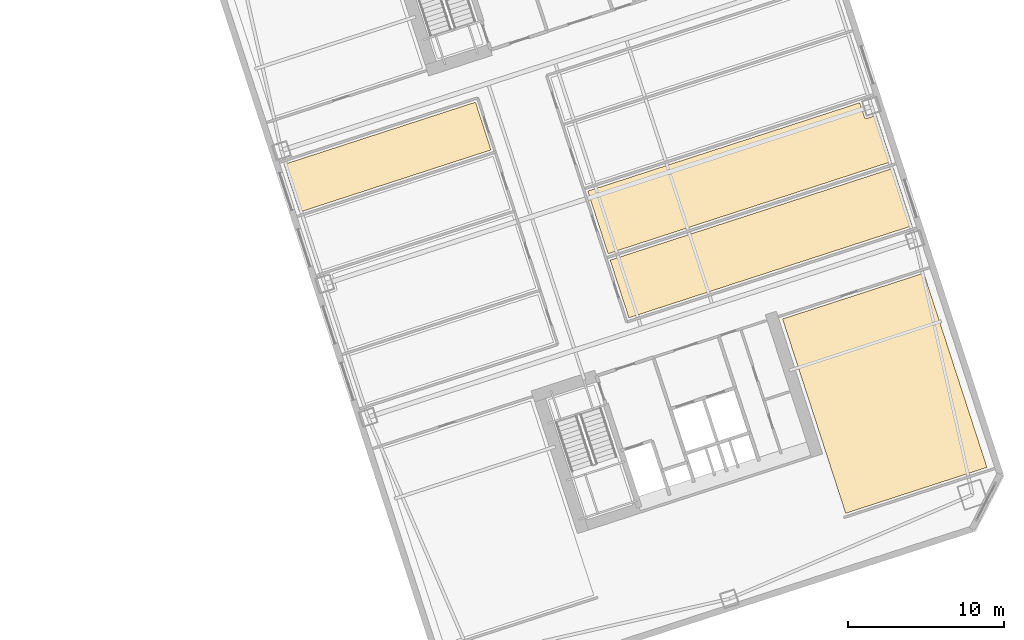
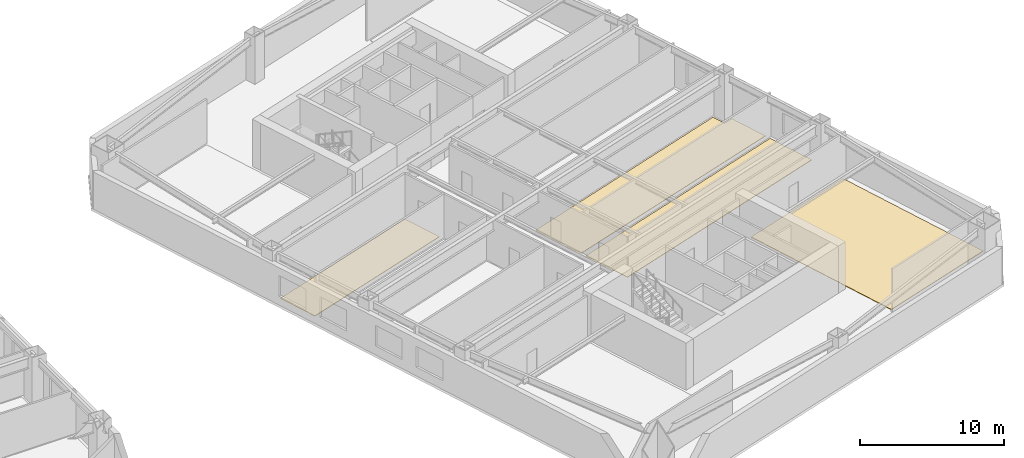
# One storey, part 22 of 24: 4 coverings.
"""IFC4 building model written with IfcOpenShell, lengths in metres."""

from ifc_helpers import new_model, si_unit, direction, frame, origin, place, context, subcontext, project, spatial, polyline, outline, extrude, material, layer, layer_set, type_object, element, save


model = new_model("IFC4")

# Units and contexts
model_context = context("Model", 3, precision=1e-05, world=origin(), true_north=direction((0.0, 1.0)))
body_context = subcontext(model_context, "Body", "Model", "MODEL_VIEW")
ifc_project = project(units=[si_unit("LENGTHUNIT", "METRE"), si_unit("AREAUNIT", "SQUARE_METRE"), si_unit("VOLUMEUNIT", "CUBIC_METRE"), si_unit("PLANEANGLEUNIT", "RADIAN"), si_unit("MASSUNIT", "GRAM", prefix="KILO")], contexts=[model_context])

# Site, building, storey
site_placement = place(None, origin())
site = spatial("IfcSite", under=ifc_project, at=site_placement, CompositionType="ELEMENT")
building_placement = place(site_placement, origin())
building = spatial("IfcBuilding", under=site, at=building_placement, Name="Qiaolan Cultural Towers", CompositionType="ELEMENT")
storey_placement = place(building_placement, frame((0.0, 0.0, 30.0)))
storey = spatial("IfcBuildingStorey", under=building, at=storey_placement, Name="L06", CompositionType="ELEMENT", Elevation=30.0)

# Coverings
ifc_material = material(Name="Honed Terrazzo & Raised Access Flooring", Category="concrete")
ifc_layer = layer(ifc_material, 0.0400390625)
ifc_layer_set = layer_set([ifc_layer], Name="Honed Terrazzo & Raised Access Flooring")
covering_type = type_object("IfcCoveringType", Name="COV-FLR-STONE", PredefinedType="FLOORING", material=ifc_layer_set)
covering_1_placement = place(storey_placement, origin())
element("IfcCovering", 1, at=covering_1_placement, inside=storey, type_object=covering_type, Name="L06 Corner Curatorial Office Finish Flooring", PredefinedType="FLOORING", context=body_context, shape_type="SweptSolid", body=[
    extrude(outline(polyline([(114.951171875, 16.525146484375), (110.900146484375, 28.993408203125), (101.83642578125, 26.048583984375), (105.8876953125, 13.580078125), (114.951171875, 16.525146484375)])), origin(), (0.0, 0.0, 1.0), 0.0400390625),
])
covering_2_placement = place(storey_placement, origin())
element("IfcCovering", 2, at=covering_2_placement, inside=storey, type_object=covering_type, Name="L06 Gallery Exhibition Room Finish Flooring", PredefinedType="FLOORING", context=body_context, shape_type="SweptSolid", body=[
    extrude(outline(polyline([(83.12353515625, 36.89599609375), (82.128173828125, 39.959228515625), (69.845458984375, 35.96826171875), (70.840576171875, 32.905029296875), (83.12353515625, 36.89599609375)])), origin(), (0.0, 0.0, 1.0), 0.0400390625),
])
covering_3_placement = place(storey_placement, origin())
element("IfcCovering", 3, at=covering_3_placement, inside=storey, type_object=covering_type, Name="L06 Design Office Finish Flooring", PredefinedType="FLOORING", context=body_context, shape_type="SweptSolid", body=[
    extrude(outline(polyline([(110.154541015625, 32.03173828125), (108.95361328125, 35.72802734375), (90.774169921875, 29.821044921875), (91.97509765625, 26.125), (110.154541015625, 32.03173828125)])), origin(), (0.0, 0.0, 1.0), 0.0400390625),
])
covering_4_placement = place(storey_placement, origin())
element("IfcCovering", 4, at=covering_4_placement, inside=storey, type_object=covering_type, Name="L06 Boardroom Finish Flooring", PredefinedType="FLOORING", context=body_context, shape_type="SweptSolid", body=[
    extrude(outline(polyline([(89.33447265625, 34.252197265625), (90.63818359375, 30.239501953125), (108.817626953125, 36.146484375), (107.8525390625, 39.1171875), (107.243896484375, 38.91943359375), (107.232421875, 38.916259765625), (107.220703125, 38.914306640625), (107.208984375, 38.91357421875), (107.197265625, 38.913818359375), (107.185546875, 38.915283203125), (107.174072265625, 38.91796875), (107.1630859375, 38.921875), (107.15234375, 38.926513671875), (107.14208984375, 38.932373046875), (107.13232421875, 38.939208984375), (107.12353515625, 38.947021484375), (107.115478515625, 38.95556640625), (107.108154296875, 38.96484375), (107.10205078125, 38.974853515625), (107.0966796875, 38.9853515625), (107.092529296875, 38.996337890625), (106.791015625, 39.92431640625), (89.33447265625, 34.252197265625)])), origin(), (0.0, 0.0, 1.0), 0.0400390625),
])

save(model, "model.ifc")
